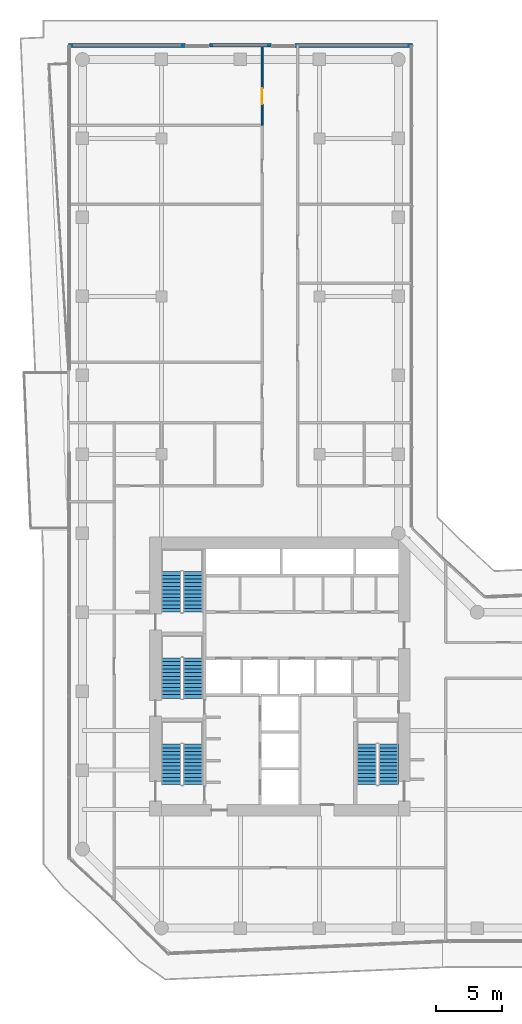
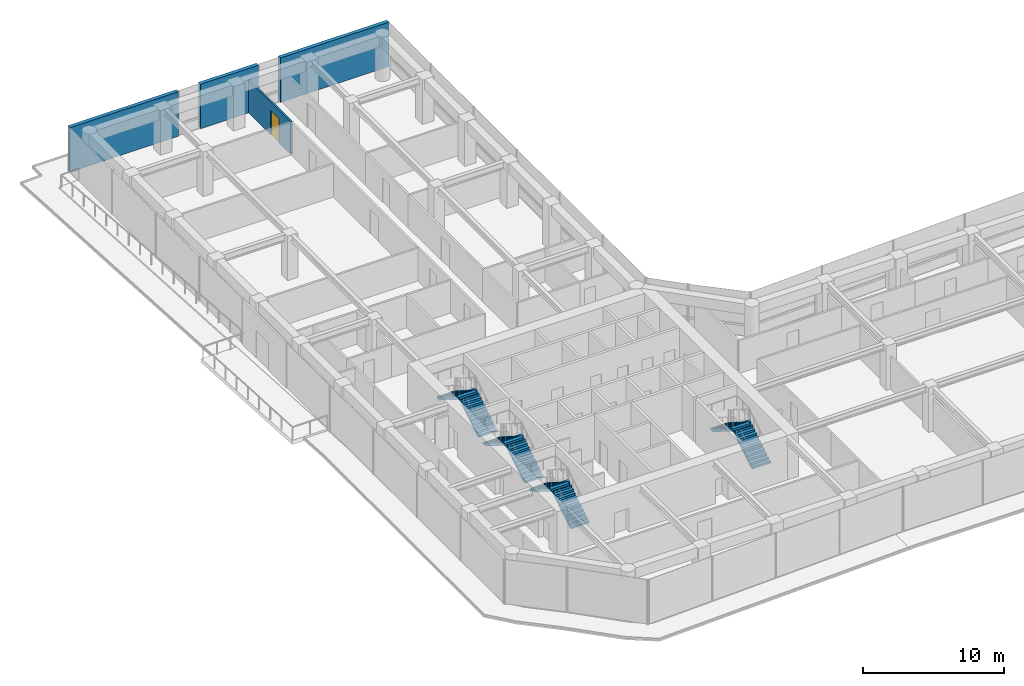
# One storey, part 27 of 29: 8 stair flights, 4 walls, 1 door, 1 opening, 4 elements without a shape of their own.
"""IFC4 building model written with IfcOpenShell, lengths in metres."""

from ifc_helpers import new_model, si_unit, direction, frame, frame_2d, origin, place, context, subcontext, project, spatial, polyline, rectangle, outline, extrude, material, layer, layer_set, type_object, element, fill, aggregate, save


model = new_model("IFC4")

# Units and contexts
model_context = context("Model", 3, precision=1e-05, world=origin(), true_north=direction((0.0, 1.0)))
body_context = subcontext(model_context, "Body", "Model", "MODEL_VIEW")
ifc_project = project(units=[si_unit("LENGTHUNIT", "METRE"), si_unit("AREAUNIT", "SQUARE_METRE"), si_unit("VOLUMEUNIT", "CUBIC_METRE"), si_unit("PLANEANGLEUNIT", "RADIAN"), si_unit("MASSUNIT", "GRAM", prefix="KILO")], contexts=[model_context])

# Site, building, storey
site_placement = place(None, origin())
site = spatial("IfcSite", under=ifc_project, at=site_placement, CompositionType="ELEMENT")
building_placement = place(site_placement, origin())
building = spatial("IfcBuilding", under=site, at=building_placement, Name="Welwitschia Terrace Campus", CompositionType="ELEMENT")
storey_placement = place(building_placement, frame((0.0, 0.0, 62.60009765625)))
storey = spatial("IfcBuildingStorey", under=building, at=storey_placement, Name="L14", CompositionType="ELEMENT", Elevation=62.60009765625)

# Wall, opening, door
ifc_material_1 = material(Name="Gypsum board on steel studs", Category="steel")
ifc_layer_1 = layer(ifc_material_1, 0.14990234375)
ifc_layer_set_1 = layer_set([ifc_layer_1], Name="Gypsum board on steel studs")
wall_type_1 = type_object("IfcWallType", Name="Corridor partition 150 EI 30", PredefinedType="PARTITIONING", material=ifc_layer_set_1)
wall_1_placement = place(storey_placement, frame((13.64990234375, 57.0, 0.0), z_axis=(0.0, 0.0, 1.0), x_axis=(0.0, 1.0, 0.0)))
wall_1 = element("IfcWall", 1, at=wall_1_placement, inside=storey, type_object=wall_type_1, Name="Partition", PredefinedType="PARTITIONING", context=body_context, shape_type="SweptSolid", body=[
    extrude(rectangle(XDim=6.117919921875, YDim=0.14990234375, at=frame_2d((3.05908203125, 0.0))), origin(), (0.0, 0.0, 1.0), 2.829833984375),
])
opening_placement = place(wall_1_placement, frame((1.610107421875, 0.0, 0.0)))
opening = element("IfcOpeningElement", 2, at=opening_placement, cuts=wall_1, Name="Opening DI12", PredefinedType="OPENING", context=body_context, shape_type="SweptSolid", body=[
    extrude(rectangle(XDim=1.199951171875, YDim=2.10009765625, at=frame_2d((0.60009765625, 1.050048828125))), frame((0.0, 0.0849609375, 0.0), z_axis=(0.0, -1.0, 0.0), x_axis=(1.0, 0.0, 0.0)), (0.0, 0.0, 1.0), 0.169921875),
])
ifc_material_2 = material(Name="Timber veneered door", Category="wood")
door_type = type_object("IfcDoorType", Name="Interior door DI12", OperationType="NOTDEFINED", PredefinedType="DOOR", material=ifc_material_2)
door_placement = place(opening_placement, origin())
door = element("IfcDoor", 3, at=door_placement, inside=storey, type_object=door_type, Name="Door L14 319", OperationType="SINGLE_SWING_RIGHT", OverallHeight=2.10009765625, OverallWidth=1.199951171875, PredefinedType="DOOR", context=body_context, shape_type="SweptSolid", body=[
    extrude(rectangle(XDim=1.199951171875, YDim=2.10009765625, at=frame_2d((0.60009765625, 1.050048828125))), frame((0.0, 0.02490234375, 0.0), z_axis=(0.0, -1.0, 0.0), x_axis=(1.0, 0.0, 0.0)), (0.0, 0.0, 1.0), 0.050048828125),
])
fill(opening, door)

# Walls
ifc_material_3 = material(Name="Concrete C40/50", Category="concrete")
ifc_layer_2 = layer(ifc_material_3, 0.300048828125)
ifc_layer_set_2 = layer_set([ifc_layer_2], Name="Concrete C40/50")
wall_type_2 = type_object("IfcWallType", Name="Mass wall 300", PredefinedType="SOLIDWALL", material=ifc_layer_set_2)
wall_2_placement = place(storey_placement, frame((25.05810546875, 63.07373046875, 0.0), z_axis=(0.0, 0.0, 1.0), x_axis=(-1.0, 0.0, 0.0)))
element("IfcWall", 4, at=wall_2_placement, inside=storey, type_object=wall_type_2, Name="Mass wall L14.11.0", PredefinedType="SOLIDWALL", context=body_context, shape_type="SweptSolid", body=[
    extrude(rectangle(XDim=8.8935546875, YDim=0.300048828125, at=frame_2d((4.44677734375, 0.0))), origin(), (0.0, 0.0, 1.0), 3.849853515625),
])
wall_3_placement = place(storey_placement, frame((14.364501953125, 63.080078125, 0.0), z_axis=(0.0, 0.0, 1.0), x_axis=(-1.0, 0.0, 0.0)))
element("IfcWall", 5, at=wall_3_placement, inside=storey, type_object=wall_type_2, Name="Mass wall L14.11.1", PredefinedType="SOLIDWALL", context=body_context, shape_type="SweptSolid", body=[
    extrude(rectangle(XDim=4.72900390625, YDim=0.300048828125, at=frame_2d((2.364501953125, 0.0))), origin(), (0.0, 0.0, 1.0), 3.849853515625),
])
wall_4_placement = place(storey_placement, frame((7.83544921875, 63.07373046875, 0.0), z_axis=(0.0, 0.0, 1.0), x_axis=(-1.0, 0.0, 0.0)))
element("IfcWall", 6, at=wall_4_placement, inside=storey, type_object=wall_type_2, Name="Mass wall L14.11.2", PredefinedType="SOLIDWALL", context=body_context, shape_type="SweptSolid", body=[
    extrude(rectangle(XDim=8.8935546875, YDim=0.300048828125, at=frame_2d((4.44677734375, 0.0))), origin(), (0.0, 0.0, 1.0), 3.849853515625),
])

# Stair, stair flights
ifc_material_4 = material(Name="Concrete C40/50", Category="concrete")
stair_type = type_object("IfcStairType", Name="Stair 24R 175 W1500", PredefinedType="HALF_TURN_STAIR", material=ifc_material_4)
stair_1_placement = place(storey_placement, origin())
stair_1 = element("IfcStair", 7, at=stair_1_placement, inside=storey, type_object=stair_type, Name="L14 Exit stair S1", PredefinedType="HALF_TURN_STAIR")
ifc_material_5 = material(Name="Concrete C40/50", Category="concrete")
stair_flight_type = type_object("IfcStairFlightType", Name="Stair flight 24R 175 W1500", PredefinedType="STRAIGHT", material=ifc_material_5)
stair_flight_1_placement = place(storey_placement, frame((8.39990234375, 6.89990234375, 0.0), z_axis=(0.0, 0.0, 1.0), x_axis=(0.0, 1.0, 0.0)))
stair_flight_1 = element("IfcStairFlight", 8, at=stair_flight_1_placement, type_object=stair_flight_type, Name="S1 flight 1", NumberOfRisers=12, NumberOfTreads=11, PredefinedType="STRAIGHT", RiserHeight=0.175, TreadLength=0.28, context=body_context, shape_type="SweptSolid", body=[
    extrude(outline(polyline([(0.0, 0.0), (0.0, 0.175048828125), (0.280029296875, 0.175048828125), (0.280029296875, 0.35009765625), (0.56005859375, 0.35009765625), (0.56005859375, 0.52490234375), (0.840087890625, 0.52490234375), (0.840087890625, 0.699951171875), (1.1201171875, 0.699951171875), (1.1201171875, 0.875), (1.39990234375, 0.875), (1.39990234375, 1.050048828125), (1.679931640625, 1.050048828125), (1.679931640625, 1.22509765625), (1.9599609375, 1.22509765625), (1.9599609375, 1.39990234375), (2.239990234375, 1.39990234375), (2.239990234375, 1.574951171875), (2.52001953125, 1.574951171875), (2.52001953125, 1.75), (2.800048828125, 1.75), (2.800048828125, 1.925048828125), (3.080078125, 1.925048828125), (3.080078125, 2.10009765625), (3.080078125, 1.748291015625), (0.28271484375, 0.0), (0.0, 0.0)])), frame((0.0, 0.75, 0.0), z_axis=(0.0, -1.0, 0.0), x_axis=(1.0, 0.0, 0.0)), (0.0, 0.0, 1.0), 1.5),
])
stair_flight_2_placement = place(storey_placement, frame((6.75, 9.97998046875, 2.099853515625), z_axis=(0.0, 0.0, 1.0), x_axis=(0.0, -1.0, 0.0)))
stair_flight_2 = element("IfcStairFlight", 9, at=stair_flight_2_placement, type_object=stair_flight_type, Name="S1 flight 2", NumberOfRisers=12, NumberOfTreads=11, PredefinedType="STRAIGHT", RiserHeight=0.175, TreadLength=0.28, context=body_context, shape_type="SweptSolid", body=[
    extrude(outline(polyline([(0.0, 0.0), (0.0, 0.175048828125), (0.280029296875, 0.175048828125), (0.280029296875, 0.35009765625), (0.56005859375, 0.35009765625), (0.56005859375, 0.52490234375), (0.840087890625, 0.52490234375), (0.840087890625, 0.699951171875), (1.1201171875, 0.699951171875), (1.1201171875, 0.875), (1.39990234375, 0.875), (1.39990234375, 1.050048828125), (1.679931640625, 1.050048828125), (1.679931640625, 1.22509765625), (1.9599609375, 1.22509765625), (1.9599609375, 1.39990234375), (2.239990234375, 1.39990234375), (2.239990234375, 1.574951171875), (2.52001953125, 1.574951171875), (2.52001953125, 1.75), (2.800048828125, 1.75), (2.800048828125, 1.925048828125), (3.080078125, 1.925048828125), (3.080078125, 2.10009765625), (3.080078125, 1.748291015625), (0.28271484375, 0.0), (0.0, 0.0)])), frame((0.0, 0.75, 0.0), z_axis=(0.0, -1.0, 0.0), x_axis=(1.0, 0.0, 0.0)), (0.0, 0.0, 1.0), 1.5),
])
aggregate(stair_1, [stair_flight_1, stair_flight_2])

stair_2_placement = place(storey_placement, origin())
stair_2 = element("IfcStair", 10, at=stair_2_placement, inside=storey, type_object=stair_type, Name="L14 Exit stair S3", PredefinedType="HALF_TURN_STAIR")
stair_flight_3_placement = place(storey_placement, frame((8.39990234375, 13.449951171875, 0.0), z_axis=(0.0, 0.0, 1.0), x_axis=(0.0, 1.0, 0.0)))
stair_flight_3 = element("IfcStairFlight", 11, at=stair_flight_3_placement, type_object=stair_flight_type, Name="S3 flight 1", NumberOfRisers=12, NumberOfTreads=11, PredefinedType="STRAIGHT", RiserHeight=0.175, TreadLength=0.28, context=body_context, shape_type="SweptSolid", body=[
    extrude(outline(polyline([(0.0, 0.0), (0.0, 0.175048828125), (0.280029296875, 0.175048828125), (0.280029296875, 0.35009765625), (0.56005859375, 0.35009765625), (0.56005859375, 0.52490234375), (0.840087890625, 0.52490234375), (0.840087890625, 0.699951171875), (1.1201171875, 0.699951171875), (1.1201171875, 0.875), (1.39990234375, 0.875), (1.39990234375, 1.050048828125), (1.679931640625, 1.050048828125), (1.679931640625, 1.22509765625), (1.9599609375, 1.22509765625), (1.9599609375, 1.39990234375), (2.239990234375, 1.39990234375), (2.239990234375, 1.574951171875), (2.52001953125, 1.574951171875), (2.52001953125, 1.75), (2.800048828125, 1.75), (2.800048828125, 1.925048828125), (3.080078125, 1.925048828125), (3.080078125, 2.10009765625), (3.080078125, 1.748291015625), (0.28271484375, 0.0), (0.0, 0.0)])), frame((0.0, 0.75, 0.0), z_axis=(0.0, -1.0, 0.0), x_axis=(1.0, 0.0, 0.0)), (0.0, 0.0, 1.0), 1.5),
])
stair_flight_4_placement = place(storey_placement, frame((6.75, 16.530029296875, 2.099853515625), z_axis=(0.0, 0.0, 1.0), x_axis=(0.0, -1.0, 0.0)))
stair_flight_4 = element("IfcStairFlight", 12, at=stair_flight_4_placement, type_object=stair_flight_type, Name="S3 flight 2", NumberOfRisers=12, NumberOfTreads=11, PredefinedType="STRAIGHT", RiserHeight=0.175, TreadLength=0.28, context=body_context, shape_type="SweptSolid", body=[
    extrude(outline(polyline([(0.0, 0.0), (0.0, 0.175048828125), (0.280029296875, 0.175048828125), (0.280029296875, 0.35009765625), (0.56005859375, 0.35009765625), (0.56005859375, 0.52490234375), (0.840087890625, 0.52490234375), (0.840087890625, 0.699951171875), (1.1201171875, 0.699951171875), (1.1201171875, 0.875), (1.39990234375, 0.875), (1.39990234375, 1.050048828125), (1.679931640625, 1.050048828125), (1.679931640625, 1.22509765625), (1.9599609375, 1.22509765625), (1.9599609375, 1.39990234375), (2.239990234375, 1.39990234375), (2.239990234375, 1.574951171875), (2.52001953125, 1.574951171875), (2.52001953125, 1.75), (2.800048828125, 1.75), (2.800048828125, 1.925048828125), (3.080078125, 1.925048828125), (3.080078125, 2.10009765625), (3.080078125, 1.748291015625), (0.28271484375, 0.0), (0.0, 0.0)])), frame((0.0, 0.75, 0.0), z_axis=(0.0, -1.0, 0.0), x_axis=(1.0, 0.0, 0.0)), (0.0, 0.0, 1.0), 1.5),
])
aggregate(stair_2, [stair_flight_3, stair_flight_4])

stair_3_placement = place(storey_placement, origin())
stair_3 = element("IfcStair", 13, at=stair_3_placement, inside=storey, type_object=stair_type, Name="L14 Exit stair S4", PredefinedType="HALF_TURN_STAIR")
stair_flight_5_placement = place(storey_placement, frame((8.39990234375, 20.0, 0.0), z_axis=(0.0, 0.0, 1.0), x_axis=(0.0, 1.0, 0.0)))
stair_flight_5 = element("IfcStairFlight", 14, at=stair_flight_5_placement, type_object=stair_flight_type, Name="S4 flight 1", NumberOfRisers=12, NumberOfTreads=11, PredefinedType="STRAIGHT", RiserHeight=0.175, TreadLength=0.28, context=body_context, shape_type="SweptSolid", body=[
    extrude(outline(polyline([(0.0, 0.0), (0.0, 0.175048828125), (0.280029296875, 0.175048828125), (0.280029296875, 0.35009765625), (0.56005859375, 0.35009765625), (0.56005859375, 0.52490234375), (0.840087890625, 0.52490234375), (0.840087890625, 0.699951171875), (1.1201171875, 0.699951171875), (1.1201171875, 0.875), (1.39990234375, 0.875), (1.39990234375, 1.050048828125), (1.679931640625, 1.050048828125), (1.679931640625, 1.22509765625), (1.9599609375, 1.22509765625), (1.9599609375, 1.39990234375), (2.239990234375, 1.39990234375), (2.239990234375, 1.574951171875), (2.52001953125, 1.574951171875), (2.52001953125, 1.75), (2.800048828125, 1.75), (2.800048828125, 1.925048828125), (3.080078125, 1.925048828125), (3.080078125, 2.10009765625), (3.080078125, 1.748291015625), (0.28271484375, 0.0), (0.0, 0.0)])), frame((0.0, 0.75, 0.0), z_axis=(0.0, -1.0, 0.0), x_axis=(1.0, 0.0, 0.0)), (0.0, 0.0, 1.0), 1.5),
])
stair_flight_6_placement = place(storey_placement, frame((6.75, 23.080078125, 2.099853515625), z_axis=(0.0, 0.0, 1.0), x_axis=(0.0, -1.0, 0.0)))
stair_flight_6 = element("IfcStairFlight", 15, at=stair_flight_6_placement, type_object=stair_flight_type, Name="S4 flight 2", NumberOfRisers=12, NumberOfTreads=11, PredefinedType="STRAIGHT", RiserHeight=0.175, TreadLength=0.28, context=body_context, shape_type="SweptSolid", body=[
    extrude(outline(polyline([(0.0, 0.0), (0.0, 0.175048828125), (0.280029296875, 0.175048828125), (0.280029296875, 0.35009765625), (0.56005859375, 0.35009765625), (0.56005859375, 0.52490234375), (0.840087890625, 0.52490234375), (0.840087890625, 0.699951171875), (1.1201171875, 0.699951171875), (1.1201171875, 0.875), (1.39990234375, 0.875), (1.39990234375, 1.050048828125), (1.679931640625, 1.050048828125), (1.679931640625, 1.22509765625), (1.9599609375, 1.22509765625), (1.9599609375, 1.39990234375), (2.239990234375, 1.39990234375), (2.239990234375, 1.574951171875), (2.52001953125, 1.574951171875), (2.52001953125, 1.75), (2.800048828125, 1.75), (2.800048828125, 1.925048828125), (3.080078125, 1.925048828125), (3.080078125, 2.10009765625), (3.080078125, 1.748291015625), (0.28271484375, 0.0), (0.0, 0.0)])), frame((0.0, 0.75, 0.0), z_axis=(0.0, -1.0, 0.0), x_axis=(1.0, 0.0, 0.0)), (0.0, 0.0, 1.0), 1.5),
])
aggregate(stair_3, [stair_flight_5, stair_flight_6])

stair_4_placement = place(storey_placement, origin())
stair_4 = element("IfcStair", 16, at=stair_4_placement, inside=storey, type_object=stair_type, Name="L14 Exit stair S2", PredefinedType="HALF_TURN_STAIR")
stair_flight_7_placement = place(storey_placement, frame((23.25, 6.89990234375, 0.0), z_axis=(0.0, 0.0, 1.0), x_axis=(0.0, 1.0, 0.0)))
stair_flight_7 = element("IfcStairFlight", 17, at=stair_flight_7_placement, type_object=stair_flight_type, Name="S2 flight 1", NumberOfRisers=12, NumberOfTreads=11, PredefinedType="STRAIGHT", RiserHeight=0.175, TreadLength=0.28, context=body_context, shape_type="SweptSolid", body=[
    extrude(outline(polyline([(0.0, 0.0), (0.0, 0.175048828125), (0.280029296875, 0.175048828125), (0.280029296875, 0.35009765625), (0.56005859375, 0.35009765625), (0.56005859375, 0.52490234375), (0.840087890625, 0.52490234375), (0.840087890625, 0.699951171875), (1.1201171875, 0.699951171875), (1.1201171875, 0.875), (1.39990234375, 0.875), (1.39990234375, 1.050048828125), (1.679931640625, 1.050048828125), (1.679931640625, 1.22509765625), (1.9599609375, 1.22509765625), (1.9599609375, 1.39990234375), (2.239990234375, 1.39990234375), (2.239990234375, 1.574951171875), (2.52001953125, 1.574951171875), (2.52001953125, 1.75), (2.800048828125, 1.75), (2.800048828125, 1.925048828125), (3.080078125, 1.925048828125), (3.080078125, 2.10009765625), (3.080078125, 1.748291015625), (0.28271484375, 0.0), (0.0, 0.0)])), frame((0.0, 0.75, 0.0), z_axis=(0.0, -1.0, 0.0), x_axis=(1.0, 0.0, 0.0)), (0.0, 0.0, 1.0), 1.5),
])
stair_flight_8_placement = place(storey_placement, frame((21.60009765625, 9.97998046875, 2.099853515625), z_axis=(0.0, 0.0, 1.0), x_axis=(0.0, -1.0, 0.0)))
stair_flight_8 = element("IfcStairFlight", 18, at=stair_flight_8_placement, type_object=stair_flight_type, Name="S2 flight 2", NumberOfRisers=12, NumberOfTreads=11, PredefinedType="STRAIGHT", RiserHeight=0.175, TreadLength=0.28, context=body_context, shape_type="SweptSolid", body=[
    extrude(outline(polyline([(0.0, 0.0), (0.0, 0.175048828125), (0.280029296875, 0.175048828125), (0.280029296875, 0.35009765625), (0.56005859375, 0.35009765625), (0.56005859375, 0.52490234375), (0.840087890625, 0.52490234375), (0.840087890625, 0.699951171875), (1.1201171875, 0.699951171875), (1.1201171875, 0.875), (1.39990234375, 0.875), (1.39990234375, 1.050048828125), (1.679931640625, 1.050048828125), (1.679931640625, 1.22509765625), (1.9599609375, 1.22509765625), (1.9599609375, 1.39990234375), (2.239990234375, 1.39990234375), (2.239990234375, 1.574951171875), (2.52001953125, 1.574951171875), (2.52001953125, 1.75), (2.800048828125, 1.75), (2.800048828125, 1.925048828125), (3.080078125, 1.925048828125), (3.080078125, 2.10009765625), (3.080078125, 1.748291015625), (0.28271484375, 0.0), (0.0, 0.0)])), frame((0.0, 0.75, 0.0), z_axis=(0.0, -1.0, 0.0), x_axis=(1.0, 0.0, 0.0)), (0.0, 0.0, 1.0), 1.5),
])
aggregate(stair_4, [stair_flight_7, stair_flight_8])

save(model, "model.ifc")
